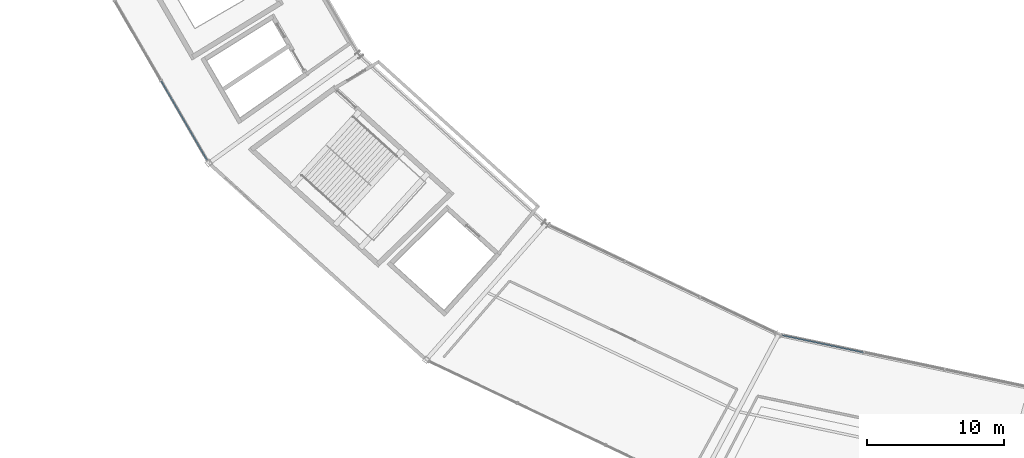
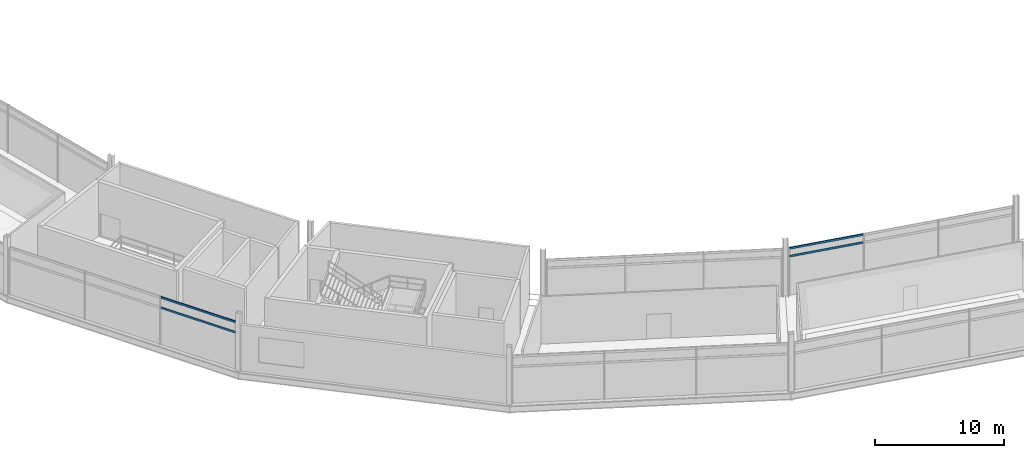
# One storey, part 22 of 86: 4 members, 2 elements without a shape of their own.
"""IFC4 building model written with IfcOpenShell, lengths in metres."""

from ifc_helpers import new_model, si_unit, direction, frame, origin, origin_2d, place, context, subcontext, project, spatial, hollow_rectangle, extrude, material, layer, layer_set, material_profile, profile_set, type_object, element, aggregate, save


model = new_model("IFC4")

# Units and contexts
model_context = context("Model", 3, precision=1e-05, world=origin(), true_north=direction((0.0, 1.0)))
body_context = subcontext(model_context, "Body", "Model", "MODEL_VIEW")
ifc_project = project(units=[si_unit("LENGTHUNIT", "METRE"), si_unit("AREAUNIT", "SQUARE_METRE"), si_unit("VOLUMEUNIT", "CUBIC_METRE"), si_unit("PLANEANGLEUNIT", "RADIAN"), si_unit("MASSUNIT", "GRAM", prefix="KILO")], contexts=[model_context])

# Site, building, storey
site_placement = place(None, origin())
site = spatial("IfcSite", under=ifc_project, at=site_placement, CompositionType="ELEMENT")
building_placement = place(site_placement, origin())
building = spatial("IfcBuilding", under=site, at=building_placement, Name="Kazemori Nagisa Stadium", CompositionType="ELEMENT")
storey_placement = place(building_placement, frame((0.0, 0.0, 31.280029296875)))
storey = spatial("IfcBuildingStorey", under=building, at=storey_placement, Name="L06", CompositionType="ELEMENT", Elevation=31.280029296875)

# Curtain wall, members
ifc_material_1 = material(Name="Anodised aluminium 6063-T5", Category="aluminium")
ifc_layer_1 = layer(ifc_material_1, 0.239990234375, Name="Anodised aluminium 6063-T5", Category="aluminium")
ifc_layer_set_1 = layer_set([ifc_layer_1], Name="Anodised aluminium 6063-T5")
curtain_wall_type_1 = type_object("IfcCurtainWallType", Name="CW_L06R3_102", PredefinedType="USERDEFINED", material=ifc_layer_set_1)
curtain_wall_1_placement = place(storey_placement, origin())
curtain_wall_1 = element("IfcCurtainWall", 1, at=curtain_wall_1_placement, inside=storey, type_object=curtain_wall_type_1, Name="Unitised curtain wall CW-L06R3-102 L06", ObjectType="UNITISED CURTAIN WALL", PredefinedType="USERDEFINED")
ifc_material_2 = material(Name="Aluminium 6063-T5 anodised", Category="aluminium")
ifc_material_profile = material_profile(ifc_material_2, hollow_rectangle(XDim=0.090087890625, YDim=0.179931640625, WallThickness=0.0048828125, at=origin_2d()), Name="ALU-TRAN-90x180x5")
ifc_profile_set = profile_set([ifc_material_profile], Name="Aluminium 6063-T5 anodised")
member_type = type_object("IfcMemberType", Name="Transom_T03", PredefinedType="USERDEFINED", material=ifc_profile_set)
member_1_placement = place(storey_placement, frame((41.01220703125, 51.35546875, 3.47265625), z_axis=(0.501612953117, -0.865092159984, 0.0), x_axis=(0.865092159984, 0.501612953117, 0.0)))
member_1 = element("IfcMember", 2, at=member_1_placement, type_object=member_type, Name="Curtain wall transom CW-L06R3-102-T3-mid", ObjectType="TRANSOM", PredefinedType="USERDEFINED", context=body_context, shape_type="SweptSolid", body=[
    extrude(hollow_rectangle(XDim=0.090087890625, YDim=0.179931640625, WallThickness=0.0048828125, at=origin_2d()), origin(), (0.0, 0.0, 1.0), 6.707275390625),
])
member_2_placement = place(storey_placement, frame((41.01220703125, 51.35546875, 4.43994140625), z_axis=(0.501612953117, -0.865092159984, 0.0), x_axis=(0.865092159984, 0.501612953117, 0.0)))
member_2 = element("IfcMember", 3, at=member_2_placement, type_object=member_type, Name="Curtain wall transom CW-L06R3-102-T3-head", ObjectType="TRANSOM", PredefinedType="USERDEFINED", context=body_context, shape_type="SweptSolid", body=[
    extrude(hollow_rectangle(XDim=0.090087890625, YDim=0.179931640625, WallThickness=0.0048828125, at=origin_2d()), origin(), (0.0, 0.0, 1.0), 6.707275390625),
])
aggregate(curtain_wall_1, [member_1, member_2])

ifc_layer_2 = layer(ifc_material_1, 0.239990234375, Name="Anodised aluminium 6063-T5", Category="aluminium")
ifc_layer_set_2 = layer_set([ifc_layer_2], Name="Anodised aluminium 6063-T5")
curtain_wall_type_2 = type_object("IfcCurtainWallType", Name="CW_L06G_91", PredefinedType="USERDEFINED", material=ifc_layer_set_2)
curtain_wall_2_placement = place(storey_placement, origin())
curtain_wall_2 = element("IfcCurtainWall", 4, at=curtain_wall_2_placement, inside=storey, type_object=curtain_wall_type_2, Name="Unitised curtain wall CW-L06G-91 L06", ObjectType="UNITISED CURTAIN WALL", PredefinedType="USERDEFINED")
member_3_placement = place(storey_placement, frame((86.486328125, 32.737548828125, 3.6982421875), z_axis=(0.978347969991, -0.206966783842, 0.0), x_axis=(0.206966783842, 0.978347969991, 0.0)))
member_3 = element("IfcMember", 5, at=member_3_placement, type_object=member_type, Name="Curtain wall transom CW-L06G-91-T1-mid", ObjectType="TRANSOM", PredefinedType="USERDEFINED", context=body_context, shape_type="SweptSolid", body=[
    extrude(hollow_rectangle(XDim=0.090087890625, YDim=0.179931640625, WallThickness=0.0048828125, at=origin_2d()), origin(), (0.0, 0.0, 1.0), 6.03369140625),
])
member_4_placement = place(storey_placement, frame((86.486328125, 32.737548828125, 4.43994140625), z_axis=(0.978347969991, -0.206966783842, 0.0), x_axis=(0.206966783842, 0.978347969991, 0.0)))
member_4 = element("IfcMember", 6, at=member_4_placement, type_object=member_type, Name="Curtain wall transom CW-L06G-91-T1-head", ObjectType="TRANSOM", PredefinedType="USERDEFINED", context=body_context, shape_type="SweptSolid", body=[
    extrude(hollow_rectangle(XDim=0.090087890625, YDim=0.179931640625, WallThickness=0.0048828125, at=origin_2d()), origin(), (0.0, 0.0, 1.0), 6.03369140625),
])
aggregate(curtain_wall_2, [member_3, member_4])

save(model, "model.ifc")
